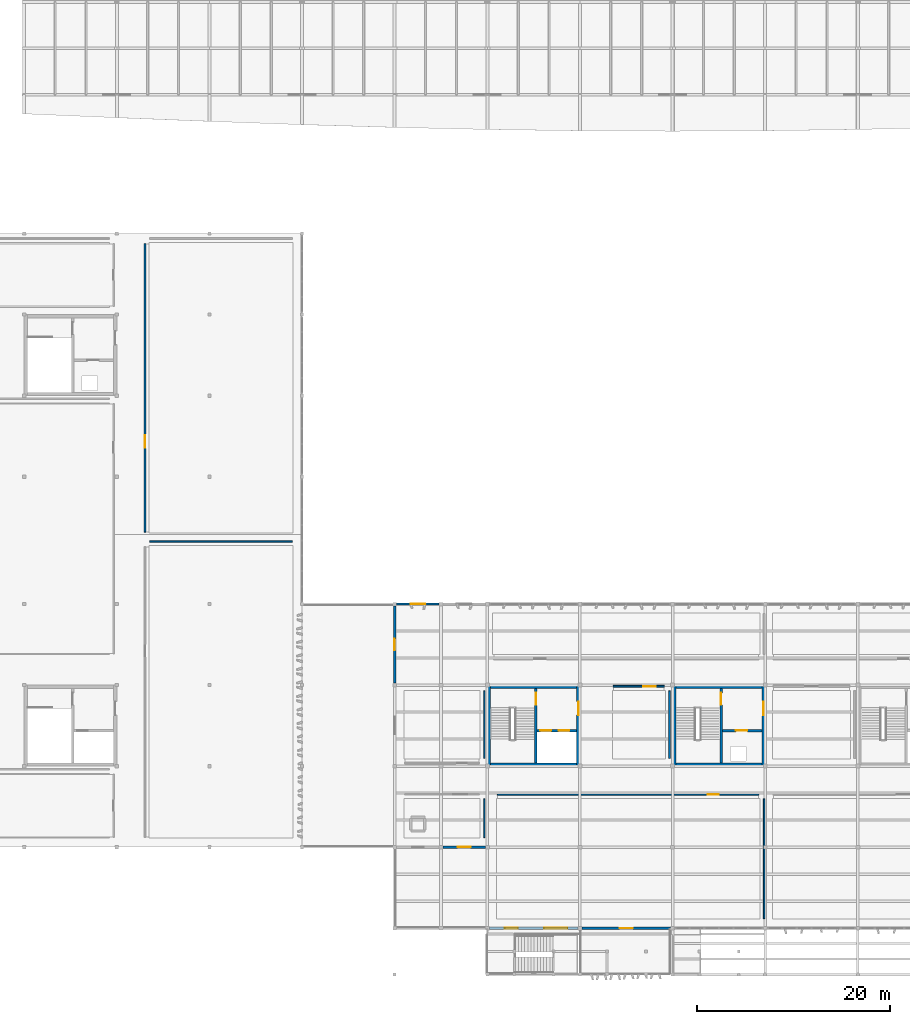
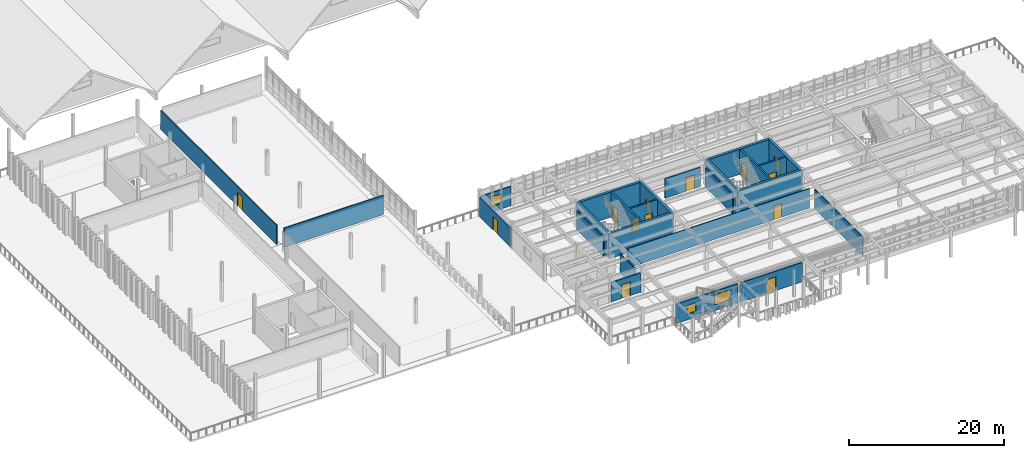
# One storey, part 31 of 42: 25 walls, 13 doors, 3 windows, 16 openings.
"""IFC4 building model written with IfcOpenShell, lengths in metres."""

from ifc_helpers import new_model, si_unit, direction, frame, frame_2d, origin, place, context, subcontext, project, spatial, rectangle, extrude, material, layer, layer_set, type_object, element, fill, save


model = new_model("IFC4")

# Units and contexts
model_context = context("Model", 3, precision=1e-05, world=origin(), true_north=direction((0.0, 1.0)))
body_context = subcontext(model_context, "Body", "Model", "MODEL_VIEW")
ifc_project = project(units=[si_unit("LENGTHUNIT", "METRE"), si_unit("AREAUNIT", "SQUARE_METRE"), si_unit("VOLUMEUNIT", "CUBIC_METRE"), si_unit("PLANEANGLEUNIT", "RADIAN"), si_unit("MASSUNIT", "GRAM", prefix="KILO")], contexts=[model_context])

# Site, building, storey
site_placement = place(None, origin())
site = spatial("IfcSite", under=ifc_project, at=site_placement, CompositionType="ELEMENT")
building_placement = place(site_placement, origin())
building = spatial("IfcBuilding", under=site, at=building_placement, Name="Kolvemor Railside Polytechnic", CompositionType="ELEMENT")
storey_placement = place(building_placement, frame((0.0, 0.0, 14.39990234375)))
storey = spatial("IfcBuildingStorey", under=building, at=storey_placement, Name="L03", CompositionType="ELEMENT", Elevation=14.39990234375)

# Walls
ifc_material_1 = material(Name="Concrete C40/50", Category="concrete")
ifc_layer_1 = layer(ifc_material_1, 0.35009765625, Name="WL-CORE-350")
ifc_layer_set_1 = layer_set([ifc_layer_1], Name="Concrete C40/50")
wall_type_1 = type_object("IfcWallType", Name="WL-CORE-350", PredefinedType="SHEAR", material=ifc_layer_set_1)
for number, where, z_axis, x_axis, name in (
    (1, (67.199951171875, 29.824951171875, 0.0), (0.0, 0.0, 1.0), (1.0, 0.0, 0.0), "CORE-1 North Core Wall L03"),
    (2, (67.199951171875, 21.77490234375, 0.0), (0.0, 0.0, 1.0), (1.0, 0.0, 0.0), "CORE-1 South Core Wall L03"),
):
    element("IfcWall", number, at=place(storey_placement, frame(where, z_axis=z_axis, x_axis=x_axis)), inside=storey, type_object=wall_type_1, Name=name, PredefinedType="SHEAR", context=body_context, shape_type="SweptSolid", body=[
        extrude(rectangle(XDim=9.60009765625, YDim=0.35009765625, at=frame_2d((4.800048828125, 0.0))), origin(), (0.0, 0.0, 1.0), 3.9501953125),
    ])
wall_1_placement = place(storey_placement, frame((67.375, 21.60009765625, 0.0), z_axis=(0.0, 0.0, 1.0), x_axis=(0.0, 1.0, 0.0)))
element("IfcWall", 3, at=wall_1_placement, inside=storey, type_object=wall_type_1, Name="CORE-1 West Core Wall L03", PredefinedType="SHEAR", context=body_context, shape_type="SweptSolid", body=[
    extrude(rectangle(XDim=8.39990234375, YDim=0.35009765625, at=frame_2d((4.199951171875, 0.0))), origin(), (0.0, 0.0, 1.0), 3.9501953125),
])

# Wall, opening, door
wall_2_placement = place(storey_placement, frame((76.625, 21.60009765625, 0.0), z_axis=(0.0, 0.0, 1.0), x_axis=(0.0, 1.0, 0.0)))
wall_2 = element("IfcWall", 4, at=wall_2_placement, inside=storey, type_object=wall_type_1, Name="CORE-1 East Core Wall L03", PredefinedType="SHEAR", context=body_context, shape_type="SweptSolid", body=[
    extrude(rectangle(XDim=8.39990234375, YDim=0.35009765625, at=frame_2d((4.199951171875, 0.0))), origin(), (0.0, 0.0, 1.0), 3.9501953125),
])
opening_1_placement = place(wall_2_placement, frame((5.300048828125, 0.0, 0.0)))
opening_1 = element("IfcOpeningElement", 5, at=opening_1_placement, cuts=wall_2, Name="Opening D-LOB-1-L03", PredefinedType="OPENING", context=body_context, shape_type="SweptSolid", body=[
    extrude(rectangle(XDim=1.39990234375, YDim=2.14990234375, at=frame_2d((0.699951171875, 1.074951171875))), frame((0.0, 0.18505859375, 0.0), z_axis=(0.0, -1.0, 0.0), x_axis=(1.0, 0.0, 0.0)), (0.0, 0.0, 1.0), 0.3701171875),
])
ifc_material_2 = material(Name="Fire-rated hardwood and brushed stainless-steel door", Category="steel")
door_type_1 = type_object("IfcDoorType", Name="DR-FD60-140x215", OperationType="NOTDEFINED", PredefinedType="DOOR", material=ifc_material_2)
door_1_placement = place(opening_1_placement, origin())
door_1 = element("IfcDoor", 6, at=door_1_placement, inside=storey, type_object=door_type_1, Name="Core Lobby Fire Door CORE-1 L03", OperationType="SINGLE_SWING_RIGHT", OverallHeight=2.14990234375, OverallWidth=1.39990234375, PredefinedType="DOOR", context=body_context, shape_type="SweptSolid", body=[
    extrude(rectangle(XDim=1.39990234375, YDim=2.14990234375, at=frame_2d((0.699951171875, 1.074951171875))), frame((0.0, 0.02490234375, 0.0), z_axis=(0.0, -1.0, 0.0), x_axis=(1.0, 0.0, 0.0)), (0.0, 0.0, 1.0), 0.050048828125),
])
fill(opening_1, door_1)

# Walls
for number, where, z_axis, x_axis, name in (
    (7, (86.39990234375, 29.824951171875, 0.0), (0.0, 0.0, 1.0), (1.0, 0.0, 0.0), "CORE-3 North Core Wall L03"),
    (8, (86.39990234375, 21.77490234375, 0.0), (0.0, 0.0, 1.0), (1.0, 0.0, 0.0), "CORE-3 South Core Wall L03"),
):
    element("IfcWall", number, at=place(storey_placement, frame(where, z_axis=z_axis, x_axis=x_axis)), inside=storey, type_object=wall_type_1, Name=name, PredefinedType="SHEAR", context=body_context, shape_type="SweptSolid", body=[
        extrude(rectangle(XDim=9.60009765625, YDim=0.35009765625, at=frame_2d((4.800048828125, 0.0))), origin(), (0.0, 0.0, 1.0), 3.9501953125),
    ])
wall_3_placement = place(storey_placement, frame((86.574951171875, 21.60009765625, 0.0), z_axis=(0.0, 0.0, 1.0), x_axis=(0.0, 1.0, 0.0)))
element("IfcWall", 9, at=wall_3_placement, inside=storey, type_object=wall_type_1, Name="CORE-3 West Core Wall L03", PredefinedType="SHEAR", context=body_context, shape_type="SweptSolid", body=[
    extrude(rectangle(XDim=8.39990234375, YDim=0.35009765625, at=frame_2d((4.199951171875, 0.0))), origin(), (0.0, 0.0, 1.0), 3.9501953125),
])

# Wall, opening, door
wall_4_placement = place(storey_placement, frame((95.824951171875, 21.60009765625, 0.0), z_axis=(0.0, 0.0, 1.0), x_axis=(0.0, 1.0, 0.0)))
wall_4 = element("IfcWall", 10, at=wall_4_placement, inside=storey, type_object=wall_type_1, Name="CORE-3 East Core Wall L03", PredefinedType="SHEAR", context=body_context, shape_type="SweptSolid", body=[
    extrude(rectangle(XDim=8.39990234375, YDim=0.35009765625, at=frame_2d((4.199951171875, 0.0))), origin(), (0.0, 0.0, 1.0), 3.9501953125),
])
opening_2_placement = place(wall_4_placement, frame((5.300048828125, 0.0, 0.0)))
opening_2 = element("IfcOpeningElement", 11, at=opening_2_placement, cuts=wall_4, Name="Opening D-LOB-3-L03", PredefinedType="OPENING", context=body_context, shape_type="SweptSolid", body=[
    extrude(rectangle(XDim=1.39990234375, YDim=2.14990234375, at=frame_2d((0.699951171875, 1.074951171875))), frame((0.0, 0.18505859375, 0.0), z_axis=(0.0, -1.0, 0.0), x_axis=(1.0, 0.0, 0.0)), (0.0, 0.0, 1.0), 0.3701171875),
])
door_2_placement = place(opening_2_placement, origin())
door_2 = element("IfcDoor", 12, at=door_2_placement, inside=storey, type_object=door_type_1, Name="Core Lobby Fire Door CORE-3 L03", OperationType="SINGLE_SWING_RIGHT", OverallHeight=2.14990234375, OverallWidth=1.39990234375, PredefinedType="DOOR", context=body_context, shape_type="SweptSolid", body=[
    extrude(rectangle(XDim=1.39990234375, YDim=2.14990234375, at=frame_2d((0.699951171875, 1.074951171875))), frame((0.0, 0.02490234375, 0.0), z_axis=(0.0, -1.0, 0.0), x_axis=(1.0, 0.0, 0.0)), (0.0, 0.0, 1.0), 0.050048828125),
])
fill(opening_2, door_2)

# Wall, opening, window
ifc_material_3 = material(Name="Cross-laminated timber CLT E1", Category="wood")
ifc_layer_2 = layer(ifc_material_3, 0.2099609375, Name="WL-EXT-TM-210")
ifc_layer_set_2 = layer_set([ifc_layer_2], Name="Cross-laminated timber CLT E1")
wall_type_2 = type_object("IfcWallType", Name="WL-EXT-TM-210", PredefinedType="SOLIDWALL", material=ifc_layer_set_2)
wall_5_placement = place(storey_placement, frame((62.199951171875, 38.39990234375, 0.0), z_axis=(0.0, 0.0, 1.0), x_axis=(-1.0, 0.0, 0.0)))
wall_5 = element("IfcWall", 13, at=wall_5_placement, inside=storey, type_object=wall_type_2, Name="Exterior Wall L03-0153", PredefinedType="SOLIDWALL", context=body_context, shape_type="SweptSolid", body=[
    extrude(rectangle(XDim=4.39990234375, YDim=0.2099609375, at=frame_2d((2.199951171875, 0.0))), origin(), (0.0, 0.0, 1.0), 3.050048828125),
])
opening_3_placement = place(wall_5_placement, frame((1.449951171875, 0.0, 0.89990234375)))
opening_3 = element("IfcOpeningElement", 14, at=opening_3_placement, cuts=wall_5, Name="Opening WN-LAB4", PredefinedType="OPENING", context=body_context, shape_type="SweptSolid", body=[
    extrude(rectangle(XDim=1.5, YDim=1.5, at=frame_2d((0.75, 0.75))), frame((0.0, 0.114990234375, 0.0), z_axis=(0.0, -1.0, 0.0), x_axis=(1.0, 0.0, 0.0)), (0.0, 0.0, 1.0), 0.22998046875),
])
ifc_material_4 = material(Name="Hurricane-laminated thermally broken aluminium window", Category="aluminium")
window_type_1 = type_object("IfcWindowType", Name="WN-LAB-150x150", PartitioningType="SINGLE_PANEL", PredefinedType="WINDOW", material=ifc_material_4)
window_1_placement = place(opening_3_placement, origin())
window_1 = element("IfcWindow", 15, at=window_1_placement, inside=storey, type_object=window_type_1, Name="Window L03-0165", OverallHeight=1.5, OverallWidth=1.5, PartitioningType="SINGLE_PANEL", PredefinedType="WINDOW", context=body_context, shape_type="SweptSolid", body=[
    extrude(rectangle(XDim=1.5, YDim=1.5, at=frame_2d((0.75, 0.75))), frame((0.0, 0.030029296875, 0.0), z_axis=(0.0, -1.0, 0.0), x_axis=(1.0, 0.0, 0.0)), (0.0, 0.0, 1.0), 0.06005859375),
])
fill(opening_3, window_1)

# Wall, openings, windows
ifc_material_5 = material(Name="Cross-laminated timber CLT E1", Category="wood")
ifc_layer_3 = layer(ifc_material_5, 0.239990234375, Name="WL-EXT-TM-240")
ifc_layer_set_3 = layer_set([ifc_layer_3], Name="Cross-laminated timber CLT E1")
wall_type_3 = type_object("IfcWallType", Name="WL-EXT-TM-240", PredefinedType="SOLIDWALL", material=ifc_layer_set_3)
wall_6_placement = place(storey_placement, frame((67.39990234375, 4.800048828125, 0.0), z_axis=(0.0, 0.0, 1.0), x_axis=(1.0, 0.0, 0.0)))
wall_6 = element("IfcWall", 16, at=wall_6_placement, inside=storey, type_object=wall_type_3, Name="Exterior Wall L03-0129", PredefinedType="SOLIDWALL", context=body_context, shape_type="SweptSolid", body=[
    extrude(rectangle(XDim=9.2001953125, YDim=0.239990234375, at=frame_2d((4.60009765625, 0.0))), origin(), (0.0, 0.0, 1.0), 3.050048828125),
])
opening_4_placement = place(wall_6_placement, frame((1.625, 0.0, 0.89990234375)))
opening_4 = element("IfcOpeningElement", 17, at=opening_4_placement, cuts=wall_6, Name="Opening WN-M17", PredefinedType="OPENING", context=body_context, shape_type="SweptSolid", body=[
    extrude(rectangle(XDim=1.35009765625, YDim=1.35009765625, at=frame_2d((0.675048828125, 0.675048828125))), frame((0.0, 0.1298828125, 0.0), z_axis=(0.0, -1.0, 0.0), x_axis=(1.0, 0.0, 0.0)), (0.0, 0.0, 1.0), 0.260009765625),
])
opening_5_placement = place(wall_6_placement, frame((5.699951171875, 0.0, 0.89990234375)))
opening_5 = element("IfcOpeningElement", 18, at=opening_5_placement, cuts=wall_6, Name="Opening WN-STU3", PredefinedType="OPENING", context=body_context, shape_type="SweptSolid", body=[
    extrude(rectangle(XDim=2.39990234375, YDim=1.60009765625, at=frame_2d((1.199951171875, 0.800048828125))), frame((0.0, 0.1298828125, 0.0), z_axis=(0.0, -1.0, 0.0), x_axis=(1.0, 0.0, 0.0)), (0.0, 0.0, 1.0), 0.260009765625),
])
ifc_material_6 = material(Name="Hurricane-laminated thermally broken aluminium window", Category="aluminium")
window_type_2 = type_object("IfcWindowType", Name="WN-MOD-135x135", PartitioningType="SINGLE_PANEL", PredefinedType="WINDOW", material=ifc_material_6)
window_2_placement = place(opening_4_placement, origin())
window_2 = element("IfcWindow", 19, at=window_2_placement, inside=storey, type_object=window_type_2, Name="Window L03-0138", OverallHeight=1.35009765625, OverallWidth=1.35009765625, PartitioningType="SINGLE_PANEL", PredefinedType="WINDOW", context=body_context, shape_type="SweptSolid", body=[
    extrude(rectangle(XDim=1.35009765625, YDim=1.35009765625, at=frame_2d((0.675048828125, 0.675048828125))), frame((0.0, 0.030029296875, 0.0), z_axis=(0.0, -1.0, 0.0), x_axis=(1.0, 0.0, 0.0)), (0.0, 0.0, 1.0), 0.06005859375),
])
fill(opening_4, window_2)
ifc_material_7 = material(Name="Hurricane-laminated thermally broken aluminium window", Category="aluminium")
window_type_3 = type_object("IfcWindowType", Name="WN-STU-240x160", PartitioningType="DOUBLE_PANEL_VERTICAL", PredefinedType="WINDOW", material=ifc_material_7)
window_3_placement = place(opening_5_placement, origin())
window_3 = element("IfcWindow", 20, at=window_3_placement, inside=storey, type_object=window_type_3, Name="Window L03-0139", OverallHeight=1.60009765625, OverallWidth=2.39990234375, PartitioningType="SINGLE_PANEL", PredefinedType="WINDOW", context=body_context, shape_type="SweptSolid", body=[
    extrude(rectangle(XDim=2.39990234375, YDim=1.60009765625, at=frame_2d((1.199951171875, 0.800048828125))), frame((0.0, 0.030029296875, 0.0), z_axis=(0.0, -1.0, 0.0), x_axis=(1.0, 0.0, 0.0)), (0.0, 0.0, 1.0), 0.06005859375),
])
fill(opening_5, window_3)

# Wall, opening, door
wall_7_placement = place(storey_placement, frame((77.0, 4.800048828125, 0.0), z_axis=(0.0, 0.0, 1.0), x_axis=(1.0, 0.0, 0.0)))
wall_7 = element("IfcWall", 21, at=wall_7_placement, inside=storey, type_object=wall_type_3, Name="Exterior Wall L03-0130", PredefinedType="SOLIDWALL", context=body_context, shape_type="SweptSolid", body=[
    extrude(rectangle(XDim=9.199951171875, YDim=0.239990234375, at=frame_2d((4.60009765625, 0.0))), origin(), (0.0, 0.0, 1.0), 3.050048828125),
])
opening_6_placement = place(wall_7_placement, frame((3.925048828125, 0.0, 0.0)))
opening_6 = element("IfcOpeningElement", 22, at=opening_6_placement, cuts=wall_7, Name="Opening D-TER-L03SP", PredefinedType="OPENING", context=body_context, shape_type="SweptSolid", body=[
    extrude(rectangle(XDim=1.35009765625, YDim=2.14990234375, at=frame_2d((0.675048828125, 1.074951171875))), frame((0.0, 0.1298828125, 0.0), z_axis=(0.0, -1.0, 0.0), x_axis=(1.0, 0.0, 0.0)), (0.0, 0.0, 1.0), 0.260009765625),
])
ifc_material_8 = material(Name="Marine-grade thermally broken aluminium and laminated glass door", Category="aluminium")
door_type_2 = type_object("IfcDoorType", Name="DR-TER-135x215", OperationType="NOTDEFINED", PredefinedType="DOOR", material=ifc_material_8)
door_3_placement = place(opening_6_placement, origin())
door_3 = element("IfcDoor", 23, at=door_3_placement, inside=storey, type_object=door_type_2, Name="Exterior Door D-TER-L03SP", OperationType="SINGLE_SWING_LEFT", OverallHeight=2.14990234375, OverallWidth=1.35009765625, PredefinedType="DOOR", context=body_context, shape_type="SweptSolid", body=[
    extrude(rectangle(XDim=1.35009765625, YDim=2.14990234375, at=frame_2d((0.675048828125, 1.074951171875))), frame((0.0, 0.02490234375, 0.0), z_axis=(0.0, -1.0, 0.0), x_axis=(1.0, 0.0, 0.0)), (0.0, 0.0, 1.0), 0.050048828125),
])
fill(opening_6, door_3)

wall_8_placement = place(storey_placement, frame((57.60009765625, 38.199951171875, 0.0), z_axis=(0.0, 0.0, 1.0), x_axis=(0.0, -1.0, 0.0)))
wall_8 = element("IfcWall", 24, at=wall_8_placement, inside=storey, type_object=wall_type_3, Name="Exterior Wall L03-0165", PredefinedType="SOLIDWALL", context=body_context, shape_type="SweptSolid", body=[
    extrude(rectangle(XDim=8.0, YDim=0.239990234375, at=frame_2d((4.0, 0.0))), origin(), (0.0, 0.0, 1.0), 3.050048828125),
])
opening_7_placement = place(wall_8_placement, frame((3.39990234375, 0.0, 0.0)))
opening_7 = element("IfcOpeningElement", 25, at=opening_7_placement, cuts=wall_8, Name="Opening D-TER-L03W", PredefinedType="OPENING", context=body_context, shape_type="SweptSolid", body=[
    extrude(rectangle(XDim=1.199951171875, YDim=2.14990234375, at=frame_2d((0.60009765625, 1.074951171875))), frame((0.0, 0.1298828125, 0.0), z_axis=(0.0, -1.0, 0.0), x_axis=(1.0, 0.0, 0.0)), (0.0, 0.0, 1.0), 0.260009765625),
])
ifc_material_9 = material(Name="Marine-grade thermally broken aluminium and laminated glass door", Category="aluminium")
door_type_3 = type_object("IfcDoorType", Name="DR-TER-120x215", OperationType="NOTDEFINED", PredefinedType="DOOR", material=ifc_material_9)
door_4_placement = place(opening_7_placement, origin())
door_4 = element("IfcDoor", 26, at=door_4_placement, inside=storey, type_object=door_type_3, Name="Exterior Door D-TER-L03W", OperationType="SINGLE_SWING_RIGHT", OverallHeight=2.14990234375, OverallWidth=1.199951171875, PredefinedType="DOOR", context=body_context, shape_type="SweptSolid", body=[
    extrude(rectangle(XDim=1.199951171875, YDim=2.14990234375, at=frame_2d((0.60009765625, 1.074951171875))), frame((0.0, 0.02490234375, 0.0), z_axis=(0.0, -1.0, 0.0), x_axis=(1.0, 0.0, 0.0)), (0.0, 0.0, 1.0), 0.050048828125),
])
fill(opening_7, door_4)

wall_9_placement = place(storey_placement, frame((67.0, 13.199951171875, 0.0), z_axis=(0.0, 0.0, 1.0), x_axis=(-1.0, 0.0, 0.0)))
wall_9 = element("IfcWall", 27, at=wall_9_placement, inside=storey, type_object=wall_type_3, Name="Exterior Wall L03-0167", PredefinedType="SOLIDWALL", context=body_context, shape_type="SweptSolid", body=[
    extrude(rectangle(XDim=4.39990234375, YDim=0.239990234375, at=frame_2d((2.199951171875, 0.0))), origin(), (0.0, 0.0, 1.0), 3.050048828125),
])
opening_8_placement = place(wall_9_placement, frame((1.52490234375, 0.0, 0.0)))
opening_8 = element("IfcOpeningElement", 28, at=opening_8_placement, cuts=wall_9, Name="Opening D-TER-L03SW", PredefinedType="OPENING", context=body_context, shape_type="SweptSolid", body=[
    extrude(rectangle(XDim=1.35009765625, YDim=2.14990234375, at=frame_2d((0.675048828125, 1.074951171875))), frame((0.0, 0.1298828125, 0.0), z_axis=(0.0, -1.0, 0.0), x_axis=(1.0, 0.0, 0.0)), (0.0, 0.0, 1.0), 0.260009765625),
])
door_5_placement = place(opening_8_placement, origin())
door_5 = element("IfcDoor", 29, at=door_5_placement, inside=storey, type_object=door_type_2, Name="Exterior Door D-TER-L03SW", OperationType="SINGLE_SWING_LEFT", OverallHeight=2.14990234375, OverallWidth=1.35009765625, PredefinedType="DOOR", context=body_context, shape_type="SweptSolid", body=[
    extrude(rectangle(XDim=1.35009765625, YDim=2.14990234375, at=frame_2d((0.675048828125, 1.074951171875))), frame((0.0, 0.02490234375, 0.0), z_axis=(0.0, -1.0, 0.0), x_axis=(1.0, 0.0, 0.0)), (0.0, 0.0, 1.0), 0.050048828125),
])
fill(opening_8, door_5)

# Walls
ifc_material_10 = material(Name="Fire-rated store partition")
ifc_layer_4 = layer(ifc_material_10, 0.110107421875, Name="WL-PART-110")
ifc_layer_set_4 = layer_set([ifc_layer_4], Name="Fire-rated store partition")
wall_type_4 = type_object("IfcWallType", Name="WL-PART-110", PredefinedType="PARTITIONING", material=ifc_layer_set_4)
wall_10_placement = place(storey_placement, frame((66.8798828125, 14.199951171875, 0.0), z_axis=(0.0, 0.0, 1.0), x_axis=(0.0, 1.0, 0.0)))
element("IfcWall", 30, at=wall_10_placement, inside=storey, type_object=wall_type_4, Name="Demising Partition L03-0190", PredefinedType="PARTITIONING", context=body_context, shape_type="SweptSolid", body=[
    extrude(rectangle(XDim=4.0, YDim=0.110107421875, at=frame_2d((2.0, 0.0))), origin(), (0.0, 0.0, 1.0), 3.030029296875),
])
ifc_material_11 = material(Name="Departmental partition")
ifc_layer_5 = layer(ifc_material_11, 0.1298828125, Name="WL-PART-130")
ifc_layer_set_5 = layer_set([ifc_layer_5], Name="Departmental partition")
wall_type_5 = type_object("IfcWallType", Name="WL-PART-130", PredefinedType="PARTITIONING", material=ifc_layer_set_5)
wall_11_placement = place(storey_placement, frame((66.8798828125, 22.39990234375, 0.0), z_axis=(0.0, 0.0, 1.0), x_axis=(0.0, 1.0, 0.0)))
element("IfcWall", 31, at=wall_11_placement, inside=storey, type_object=wall_type_5, Name="Demising Partition L03-0180", PredefinedType="PARTITIONING", context=body_context, shape_type="SweptSolid", body=[
    extrude(rectangle(XDim=7.0, YDim=0.1298828125, at=frame_2d((3.5, 0.0))), origin(), (0.0, 0.0, 1.0), 3.030029296875),
])
ifc_material_12 = material(Name="Acoustic studio partition")
ifc_layer_6 = layer(ifc_material_12, 0.14990234375, Name="WL-PART-150")
ifc_layer_set_6 = layer_set([ifc_layer_6], Name="Acoustic studio partition")
wall_type_6 = type_object("IfcWallType", Name="WL-PART-150", PredefinedType="PARTITIONING", material=ifc_layer_set_6)
wall_12_placement = place(storey_placement, frame((32.199951171875, 44.8798828125, 0.0), z_axis=(0.0, 0.0, 1.0), x_axis=(1.0, 0.0, 0.0)))
element("IfcWall", 32, at=wall_12_placement, inside=storey, type_object=wall_type_6, Name="Demising Partition L03-0171", PredefinedType="PARTITIONING", context=body_context, shape_type="SweptSolid", body=[
    extrude(rectangle(XDim=14.800048828125, YDim=0.14990234375, at=frame_2d((7.39990234375, 0.0))), origin(), (0.0, 0.0, 1.0), 3.030029296875),
])

# Wall, opening, door
wall_13_placement = place(storey_placement, frame((68.25, 18.679931640625, 0.0), z_axis=(0.0, 0.0, 1.0), x_axis=(1.0, 0.0, 0.0)))
wall_13 = element("IfcWall", 33, at=wall_13_placement, inside=storey, type_object=wall_type_6, Name="Partition Wall L03-0176", PredefinedType="PARTITIONING", context=body_context, shape_type="SweptSolid", body=[
    extrude(rectangle(XDim=27.10009765625, YDim=0.14990234375, at=frame_2d((13.550048828125, 0.0))), origin(), (0.0, 0.0, 1.0), 3.030029296875),
])
opening_9_placement = place(wall_13_placement, frame((21.802978515625, 0.0, 0.0)))
opening_9 = element("IfcOpeningElement", 34, at=opening_9_placement, cuts=wall_13, Name="Opening D-03099", PredefinedType="OPENING", context=body_context, shape_type="SweptSolid", body=[
    extrude(rectangle(XDim=1.1201171875, YDim=2.14990234375, at=frame_2d((0.56005859375, 1.074951171875))), frame((0.0, 0.0849609375, 0.0), z_axis=(0.0, -1.0, 0.0), x_axis=(1.0, 0.0, 0.0)), (0.0, 0.0, 1.0), 0.169921875),
])
ifc_material_13 = material(Name="Solid hardwood acoustic door", Category="wood")
door_type_4 = type_object("IfcDoorType", Name="DR-STU-112x215", OperationType="NOTDEFINED", PredefinedType="DOOR", material=ifc_material_13)
door_6_placement = place(opening_9_placement, origin())
door_6 = element("IfcDoor", 35, at=door_6_placement, inside=storey, type_object=door_type_4, Name="Room Door D-03099 (Structural Timber Engineering Design Studio)", OperationType="SINGLE_SWING_RIGHT", OverallHeight=2.14990234375, OverallWidth=1.1201171875, PredefinedType="DOOR", context=body_context, shape_type="SweptSolid", body=[
    extrude(rectangle(XDim=1.1201171875, YDim=2.14990234375, at=frame_2d((0.56005859375, 1.074951171875))), frame((0.0, 0.02490234375, 0.0), z_axis=(0.0, -1.0, 0.0), x_axis=(1.0, 0.0, 0.0)), (0.0, 0.0, 1.0), 0.050048828125),
])
fill(opening_9, door_6)

# Wall
wall_14_placement = place(storey_placement, frame((95.8798828125, 5.800048828125, 0.0), z_axis=(0.0, 0.0, 1.0), x_axis=(0.0, 1.0, 0.0)))
element("IfcWall", 36, at=wall_14_placement, inside=storey, type_object=wall_type_6, Name="Demising Partition L03-0177", PredefinedType="PARTITIONING", context=body_context, shape_type="SweptSolid", body=[
    extrude(rectangle(XDim=12.39990234375, YDim=0.14990234375, at=frame_2d((6.199951171875, 0.0))), origin(), (0.0, 0.0, 1.0), 3.030029296875),
])

# Wall, opening, door
ifc_material_14 = material(Name="Fire-rated laboratory corridor partition")
ifc_layer_7 = layer(ifc_material_14, 0.1650390625, Name="WL-PART-165")
ifc_layer_set_7 = layer_set([ifc_layer_7], Name="Fire-rated laboratory corridor partition")
wall_type_7 = type_object("IfcWallType", Name="WL-PART-165", PredefinedType="PARTITIONING", material=ifc_layer_set_7)
wall_15_placement = place(storey_placement, frame((31.719970703125, 45.85009765625, 0.0), z_axis=(0.0, 0.0, 1.0), x_axis=(0.0, 1.0, 0.0)))
wall_15 = element("IfcWall", 37, at=wall_15_placement, inside=storey, type_object=wall_type_7, Name="Partition Wall L03-0172", PredefinedType="PARTITIONING", context=body_context, shape_type="SweptSolid", body=[
    extrude(rectangle(XDim=29.89990234375, YDim=0.1650390625, at=frame_2d((14.949951171875, 0.0))), origin(), (0.0, 0.0, 1.0), 3.030029296875),
])
opening_10_placement = place(wall_15_placement, frame((8.739990234375, 0.0, 0.0)))
opening_10 = element("IfcOpeningElement", 38, at=opening_10_placement, cuts=wall_15, Name="Opening D-03097", PredefinedType="OPENING", context=body_context, shape_type="SweptSolid", body=[
    extrude(rectangle(XDim=1.300048828125, YDim=2.14990234375, at=frame_2d((0.64990234375, 1.074951171875))), frame((0.0, 0.092529296875, 0.0), z_axis=(0.0, -1.0, 0.0), x_axis=(1.0, 0.0, 0.0)), (0.0, 0.0, 1.0), 0.18505859375),
])
ifc_material_15 = material(Name="Fire-rated hardwood and brushed stainless-steel door", Category="steel")
door_type_5 = type_object("IfcDoorType", Name="DR-LAB-130x215", OperationType="NOTDEFINED", PredefinedType="DOOR", material=ifc_material_15)
door_7_placement = place(opening_10_placement, origin())
door_7 = element("IfcDoor", 39, at=door_7_placement, inside=storey, type_object=door_type_5, Name="Room Door D-03097 (Environmental Modelling Laboratory)", OperationType="SINGLE_SWING_RIGHT", OverallHeight=2.14990234375, OverallWidth=1.300048828125, PredefinedType="DOOR", context=body_context, shape_type="SweptSolid", body=[
    extrude(rectangle(XDim=1.300048828125, YDim=2.14990234375, at=frame_2d((0.64990234375, 1.074951171875))), frame((0.0, 0.02490234375, 0.0), z_axis=(0.0, -1.0, 0.0), x_axis=(1.0, 0.0, 0.0)), (0.0, 0.0, 1.0), 0.050048828125),
])
fill(opening_10, door_7)

wall_16_placement = place(storey_placement, frame((80.25, 29.8798828125, 0.0), z_axis=(0.0, 0.0, 1.0), x_axis=(1.0, 0.0, 0.0)))
wall_16 = element("IfcWall", 40, at=wall_16_placement, inside=storey, type_object=wall_type_7, Name="Partition Wall L03-0181", PredefinedType="PARTITIONING", context=body_context, shape_type="SweptSolid", body=[
    extrude(rectangle(XDim=5.300048828125, YDim=0.1650390625, at=frame_2d((2.64990234375, 0.0))), origin(), (0.0, 0.0, 1.0), 3.030029296875),
])
opening_11_placement = place(wall_16_placement, frame((3.1201171875, 0.0, 0.0)))
opening_11 = element("IfcOpeningElement", 41, at=opening_11_placement, cuts=wall_16, Name="Opening D-03102", PredefinedType="OPENING", context=body_context, shape_type="SweptSolid", body=[
    extrude(rectangle(XDim=1.300048828125, YDim=2.14990234375, at=frame_2d((0.64990234375, 1.074951171875))), frame((0.0, 0.092529296875, 0.0), z_axis=(0.0, -1.0, 0.0), x_axis=(1.0, 0.0, 0.0)), (0.0, 0.0, 1.0), 0.18505859375),
])
door_8_placement = place(opening_11_placement, origin())
door_8 = element("IfcDoor", 42, at=door_8_placement, inside=storey, type_object=door_type_5, Name="Room Door D-03102 (Optics and Photonics Laboratory)", OperationType="SINGLE_SWING_LEFT", OverallHeight=2.14990234375, OverallWidth=1.300048828125, PredefinedType="DOOR", context=body_context, shape_type="SweptSolid", body=[
    extrude(rectangle(XDim=1.300048828125, YDim=2.14990234375, at=frame_2d((0.64990234375, 1.074951171875))), frame((0.0, 0.02490234375, 0.0), z_axis=(0.0, -1.0, 0.0), x_axis=(1.0, 0.0, 0.0)), (0.0, 0.0, 1.0), 0.050048828125),
])
fill(opening_11, door_8)

# Wall
wall_17_placement = place(storey_placement, frame((86.080078125, 22.39990234375, 0.0), z_axis=(0.0, 0.0, 1.0), x_axis=(0.0, 1.0, 0.0)))
element("IfcWall", 43, at=wall_17_placement, inside=storey, type_object=wall_type_7, Name="Demising Partition L03-0182", PredefinedType="PARTITIONING", context=body_context, shape_type="SweptSolid", body=[
    extrude(rectangle(XDim=7.0, YDim=0.1650390625, at=frame_2d((3.5, 0.0))), origin(), (0.0, 0.0, 1.0), 3.030029296875),
])

# Wall, opening, door
ifc_material_16 = material(Name="Concrete C40/50", Category="concrete")
ifc_layer_8 = layer(ifc_material_16, 0.25, Name="WL-SHFT-250")
ifc_layer_set_8 = layer_set([ifc_layer_8], Name="Concrete C40/50")
wall_type_8 = type_object("IfcWallType", Name="WL-SHFT-250", PredefinedType="SHEAR", material=ifc_layer_set_8)
wall_18_placement = place(storey_placement, frame((72.22509765625, 29.64990234375, 0.0), z_axis=(0.0, 0.0, 1.0), x_axis=(0.0, -1.0, 0.0)))
wall_18 = element("IfcWall", 44, at=wall_18_placement, inside=storey, type_object=wall_type_8, Name="CORE-1 Stair-Lobby Divider Wall L03", PredefinedType="SHEAR", context=body_context, shape_type="SweptSolid", body=[
    extrude(rectangle(XDim=7.699951171875, YDim=0.25, at=frame_2d((3.85009765625, 0.0))), origin(), (0.0, 0.0, 1.0), 3.9501953125),
])
opening_12_placement = place(wall_18_placement, frame((0.449951171875, 0.0, 0.0)))
opening_12 = element("IfcOpeningElement", 45, at=opening_12_placement, cuts=wall_18, Name="Opening D-ST-1-L03", PredefinedType="OPENING", context=body_context, shape_type="SweptSolid", body=[
    extrude(rectangle(XDim=1.25, YDim=2.14990234375, at=frame_2d((0.625, 1.074951171875))), frame((0.0, 0.135009765625, 0.0), z_axis=(0.0, -1.0, 0.0), x_axis=(1.0, 0.0, 0.0)), (0.0, 0.0, 1.0), 0.27001953125),
])
ifc_material_17 = material(Name="Fire-rated hardwood and brushed stainless-steel door", Category="steel")
door_type_6 = type_object("IfcDoorType", Name="DR-FD90-125x215", OperationType="NOTDEFINED", PredefinedType="DOOR", material=ifc_material_17)
door_9_placement = place(opening_12_placement, origin())
door_9 = element("IfcDoor", 46, at=door_9_placement, inside=storey, type_object=door_type_6, Name="Stair Fire Door ST-1 L03", OperationType="SINGLE_SWING_LEFT", OverallHeight=2.14990234375, OverallWidth=1.25, PredefinedType="DOOR", context=body_context, shape_type="SweptSolid", body=[
    extrude(rectangle(XDim=1.25, YDim=2.14990234375, at=frame_2d((0.625, 1.074951171875))), frame((0.0, 0.02490234375, 0.0), z_axis=(0.0, -1.0, 0.0), x_axis=(1.0, 0.0, 0.0)), (0.0, 0.0, 1.0), 0.050048828125),
])
fill(opening_12, door_9)

# Wall, openings, doors
wall_19_placement = place(storey_placement, frame((72.35009765625, 25.27490234375, 0.0), z_axis=(0.0, 0.0, 1.0), x_axis=(1.0, 0.0, 0.0)))
wall_19 = element("IfcWall", 47, at=wall_19_placement, inside=storey, type_object=wall_type_8, Name="CORE-1 Lift Shaft Front Wall L03", PredefinedType="SHEAR", context=body_context, shape_type="SweptSolid", body=[
    extrude(rectangle(XDim=4.099853515625, YDim=0.25, at=frame_2d((2.0498046875, 0.0))), origin(), (0.0, 0.0, 1.0), 3.9501953125),
])
opening_13_placement = place(wall_19_placement, frame((0.35009765625, 0.0, 0.0)))
opening_13 = element("IfcOpeningElement", 48, at=opening_13_placement, cuts=wall_19, Name="Opening LD-FL-1-L03", PredefinedType="OPENING", context=body_context, shape_type="SweptSolid", body=[
    extrude(rectangle(XDim=1.10009765625, YDim=2.14990234375, at=frame_2d((0.550048828125, 1.074951171875))), frame((0.0, 0.135009765625, 0.0), z_axis=(0.0, -1.0, 0.0), x_axis=(1.0, 0.0, 0.0)), (0.0, 0.0, 1.0), 0.27001953125),
])
opening_14_placement = place(wall_19_placement, frame((2.25, 0.0, 0.0)))
opening_14 = element("IfcOpeningElement", 49, at=opening_14_placement, cuts=wall_19, Name="Opening LD-PL-1-L03", PredefinedType="OPENING", context=body_context, shape_type="SweptSolid", body=[
    extrude(rectangle(XDim=1.10009765625, YDim=2.14990234375, at=frame_2d((0.550048828125, 1.074951171875))), frame((0.0, 0.135009765625, 0.0), z_axis=(0.0, -1.0, 0.0), x_axis=(1.0, 0.0, 0.0)), (0.0, 0.0, 1.0), 0.27001953125),
])
ifc_material_18 = material(Name="Fire-rated hardwood and brushed stainless-steel door", Category="steel")
door_type_7 = type_object("IfcDoorType", Name="DR-LIFT-110x215", OperationType="SLIDING_TO_LEFT", PredefinedType="DOOR", material=ifc_material_18)
door_10_placement = place(opening_13_placement, origin())
door_10 = element("IfcDoor", 50, at=door_10_placement, inside=storey, type_object=door_type_7, Name="Lift Landing Sliding Door FL-1 L03", OperationType="SLIDING_TO_LEFT", OverallHeight=2.14990234375, OverallWidth=1.10009765625, PredefinedType="DOOR", context=body_context, shape_type="SweptSolid", body=[
    extrude(rectangle(XDim=1.10009765625, YDim=2.14990234375, at=frame_2d((0.550048828125, 1.074951171875))), frame((0.0, 0.02490234375, 0.0), z_axis=(0.0, -1.0, 0.0), x_axis=(1.0, 0.0, 0.0)), (0.0, 0.0, 1.0), 0.050048828125),
])
fill(opening_13, door_10)
door_11_placement = place(opening_14_placement, origin())
door_11 = element("IfcDoor", 51, at=door_11_placement, inside=storey, type_object=door_type_7, Name="Lift Landing Sliding Door PL-1 L03", OperationType="SLIDING_TO_LEFT", OverallHeight=2.14990234375, OverallWidth=1.10009765625, PredefinedType="DOOR", context=body_context, shape_type="SweptSolid", body=[
    extrude(rectangle(XDim=1.10009765625, YDim=2.14990234375, at=frame_2d((0.550048828125, 1.074951171875))), frame((0.0, 0.02490234375, 0.0), z_axis=(0.0, -1.0, 0.0), x_axis=(1.0, 0.0, 0.0)), (0.0, 0.0, 1.0), 0.050048828125),
])
fill(opening_14, door_11)

# Wall, opening, door
wall_20_placement = place(storey_placement, frame((91.425048828125, 29.64990234375, 0.0), z_axis=(0.0, 0.0, 1.0), x_axis=(0.0, -1.0, 0.0)))
wall_20 = element("IfcWall", 52, at=wall_20_placement, inside=storey, type_object=wall_type_8, Name="CORE-3 Stair-Lobby Divider Wall L03", PredefinedType="SHEAR", context=body_context, shape_type="SweptSolid", body=[
    extrude(rectangle(XDim=7.699951171875, YDim=0.25, at=frame_2d((3.85009765625, 0.0))), origin(), (0.0, 0.0, 1.0), 3.9501953125),
])
opening_15_placement = place(wall_20_placement, frame((0.449951171875, 0.0, 0.0)))
opening_15 = element("IfcOpeningElement", 53, at=opening_15_placement, cuts=wall_20, Name="Opening D-ST-3-L03", PredefinedType="OPENING", context=body_context, shape_type="SweptSolid", body=[
    extrude(rectangle(XDim=1.25, YDim=2.14990234375, at=frame_2d((0.625, 1.074951171875))), frame((0.0, 0.135009765625, 0.0), z_axis=(0.0, -1.0, 0.0), x_axis=(1.0, 0.0, 0.0)), (0.0, 0.0, 1.0), 0.27001953125),
])
door_12_placement = place(opening_15_placement, origin())
door_12 = element("IfcDoor", 54, at=door_12_placement, inside=storey, type_object=door_type_6, Name="Stair Fire Door ST-3 L03", OperationType="SINGLE_SWING_RIGHT", OverallHeight=2.14990234375, OverallWidth=1.25, PredefinedType="DOOR", context=body_context, shape_type="SweptSolid", body=[
    extrude(rectangle(XDim=1.25, YDim=2.14990234375, at=frame_2d((0.625, 1.074951171875))), frame((0.0, 0.02490234375, 0.0), z_axis=(0.0, -1.0, 0.0), x_axis=(1.0, 0.0, 0.0)), (0.0, 0.0, 1.0), 0.050048828125),
])
fill(opening_15, door_12)

wall_21_placement = place(storey_placement, frame((91.550048828125, 25.27490234375, 0.0), z_axis=(0.0, 0.0, 1.0), x_axis=(1.0, 0.0, 0.0)))
wall_21 = element("IfcWall", 55, at=wall_21_placement, inside=storey, type_object=wall_type_8, Name="CORE-3 Lift Shaft Front Wall L03", PredefinedType="SHEAR", context=body_context, shape_type="SweptSolid", body=[
    extrude(rectangle(XDim=4.099853515625, YDim=0.25, at=frame_2d((2.0498046875, 0.0))), origin(), (0.0, 0.0, 1.0), 3.9501953125),
])
opening_16_placement = place(wall_21_placement, frame((1.39990234375, 0.0, 0.0)))
opening_16 = element("IfcOpeningElement", 56, at=opening_16_placement, cuts=wall_21, Name="Opening D-RSR-3-L03", PredefinedType="OPENING", context=body_context, shape_type="SweptSolid", body=[
    extrude(rectangle(XDim=1.199951171875, YDim=2.14990234375, at=frame_2d((0.60009765625, 1.074951171875))), frame((0.0, 0.135009765625, 0.0), z_axis=(0.0, -1.0, 0.0), x_axis=(1.0, 0.0, 0.0)), (0.0, 0.0, 1.0), 0.27001953125),
])
ifc_material_19 = material(Name="Fire-rated hardwood and brushed stainless-steel door", Category="steel")
door_type_8 = type_object("IfcDoorType", Name="DR-FD60-120x215", OperationType="NOTDEFINED", PredefinedType="DOOR", material=ifc_material_19)
door_13_placement = place(opening_16_placement, origin())
door_13 = element("IfcDoor", 57, at=door_13_placement, inside=storey, type_object=door_type_8, Name="Riser Fire Door CORE-3 L03", OperationType="SINGLE_SWING_LEFT", OverallHeight=2.14990234375, OverallWidth=1.199951171875, PredefinedType="DOOR", context=body_context, shape_type="SweptSolid", body=[
    extrude(rectangle(XDim=1.199951171875, YDim=2.14990234375, at=frame_2d((0.60009765625, 1.074951171875))), frame((0.0, 0.02490234375, 0.0), z_axis=(0.0, -1.0, 0.0), x_axis=(1.0, 0.0, 0.0)), (0.0, 0.0, 1.0), 0.050048828125),
])
fill(opening_16, door_13)

save(model, "model.ifc")
